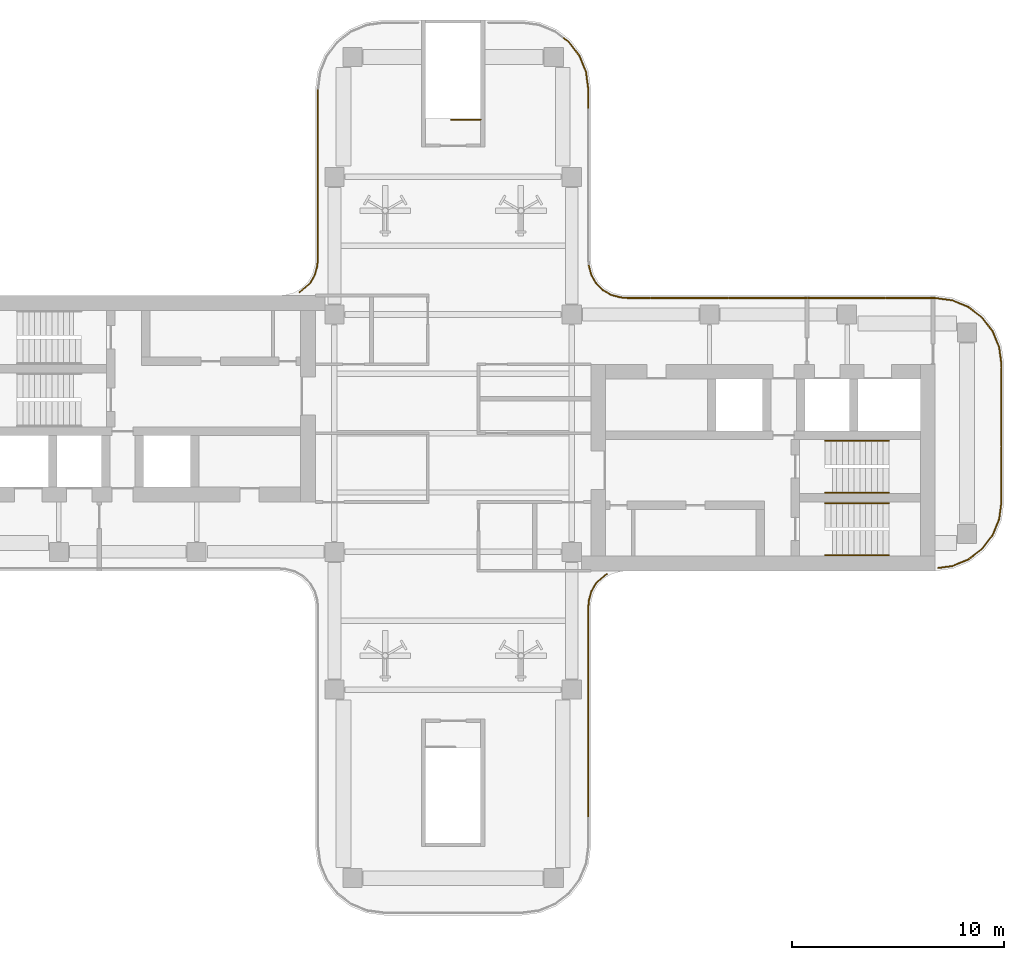
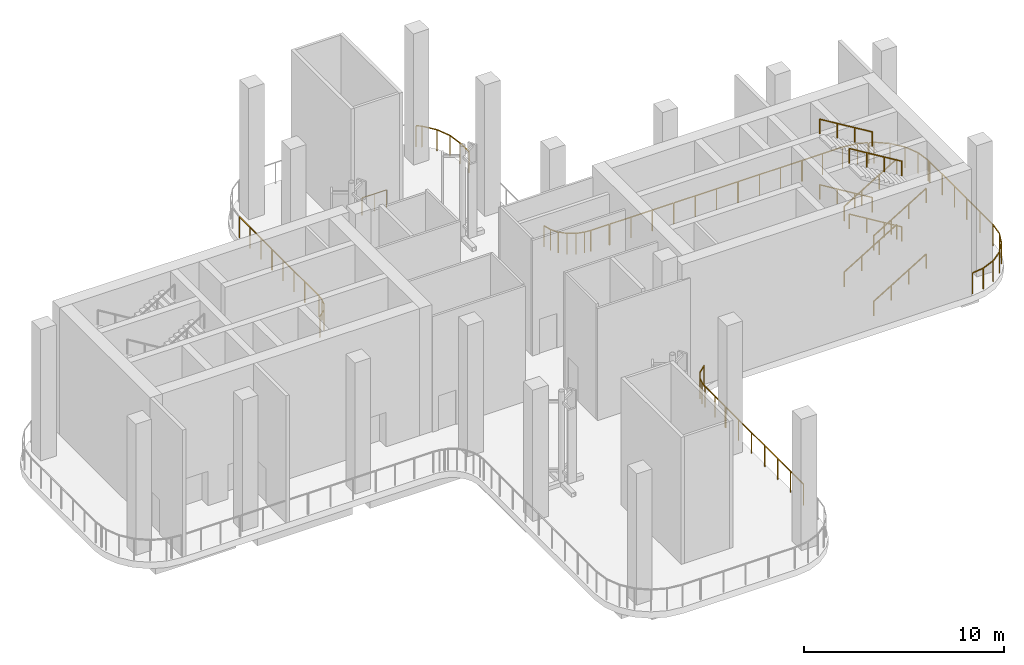
# One storey, part 6 of 8: 25 railings.
"""IFC4 building model written with IfcOpenShell, lengths in metres."""

from ifc_helpers import new_model, si_unit, direction, frame, origin, origin_2d, place, context, subcontext, project, spatial, rectangle, circle, extrude, source, transform, mapped, material, type_object, element, save


model = new_model("IFC4")

# Units and contexts
model_context = context("Model", 3, precision=1e-05, world=origin(), true_north=direction((0.0, 1.0)))
body_context = subcontext(model_context, "Body", "Model", "MODEL_VIEW")
ifc_project = project(units=[si_unit("LENGTHUNIT", "METRE"), si_unit("AREAUNIT", "SQUARE_METRE"), si_unit("VOLUMEUNIT", "CUBIC_METRE"), si_unit("PLANEANGLEUNIT", "RADIAN"), si_unit("MASSUNIT", "GRAM", prefix="KILO")], contexts=[model_context])

# Site, building, storey
site_placement = place(None, origin())
site = spatial("IfcSite", under=ifc_project, at=site_placement, CompositionType="ELEMENT")
building_placement = place(site_placement, origin())
building = spatial("IfcBuilding", under=site, at=building_placement, Name="Trellis Farm Tower", CompositionType="ELEMENT")
storey_placement = place(building_placement, frame((0.0, 0.0, 330.10009765625)))
storey = spatial("IfcBuildingStorey", under=building, at=storey_placement, Name="L75", CompositionType="ELEMENT", Elevation=330.10009765625)

# Railings
ifc_material_1 = material(Name="Stainless steel 316", Category="steel")
railing_type_1 = type_object("IfcRailingType", Name="BALUSTRADE GUARD 1300", PredefinedType="GUARDRAIL", material=ifc_material_1)
railing_1_placement = place(storey_placement, frame((-7.245361328125, 6.64990234375, 0.0)))
element("IfcRailing", 1, at=railing_1_placement, inside=storey, type_object=railing_type_1, Name="GD3 EDGE-1", PredefinedType="GUARDRAIL", context=body_context, shape_type="SweptSolid", body=[
    extrude(rectangle(XDim=0.050048828125, YDim=0.050048828125, at=origin_2d()), frame((0.0, 0.0, 1.27490234375), z_axis=(0.761614428035, 0.648030449138, 0.0), x_axis=(-0.648030449138, 0.761614428035, 0.0)), (0.0, 0.0, 1.0), 0.649169921875),
    extrude(rectangle(XDim=0.050048828125, YDim=0.050048828125, at=origin_2d()), frame((0.494384765625, 0.420654296875, 1.27490234375), z_axis=(0.499971721724, 0.866041729639, 0.0), x_axis=(-0.866041729639, 0.499971721724, 0.0)), (0.0, 0.0, 1.0), 0.4521484375),
    extrude(rectangle(XDim=0.050048828125, YDim=0.050048828125, at=origin_2d()), frame((0.720458984375, 0.812255859375, 1.27490234375), z_axis=(0.258891443638, 0.965906424252, 0.0), x_axis=(-0.965906424252, 0.258891443638, 0.0)), (0.0, 0.0, 1.0), 0.445068359375),
    extrude(rectangle(XDim=0.050048828125, YDim=0.050048828125, at=origin_2d()), frame((0.835693359375, 1.2421875, 1.27490234375), z_axis=(0.088443887633, 0.99608116072, 0.0), x_axis=(-0.99608116072, 0.088443887633, 0.0)), (0.0, 0.0, 1.0), 0.336669921875),
    extrude(rectangle(XDim=0.050048828125, YDim=0.050048828125, at=origin_2d()), frame((0.865478515625, 1.57763671875, 1.27490234375), z_axis=(0.0, 1.0, 0.0), x_axis=(-1.0, 0.0, 0.0)), (0.0, 0.0, 1.0), 1.398193359375),
    extrude(rectangle(XDim=0.0400390625, YDim=0.0400390625, at=origin_2d()), origin(), (0.0, 0.0, 1.0), 1.25),
    extrude(rectangle(XDim=0.0400390625, YDim=0.0400390625, at=origin_2d()), frame((0.494384765625, 0.420654296875, 0.0)), (0.0, 0.0, 1.0), 1.25),
    extrude(rectangle(XDim=0.0400390625, YDim=0.0400390625, at=origin_2d()), frame((0.720458984375, 0.812255859375, 0.0)), (0.0, 0.0, 1.0), 1.25),
    extrude(rectangle(XDim=0.0400390625, YDim=0.0400390625, at=origin_2d()), frame((0.835693359375, 1.2421875, 0.0)), (0.0, 0.0, 1.0), 1.25),
    extrude(rectangle(XDim=0.0400390625, YDim=0.0400390625, at=origin_2d()), frame((0.865478515625, 1.57763671875, 0.0)), (0.0, 0.0, 1.0), 1.25),
    extrude(rectangle(XDim=0.0400390625, YDim=0.0400390625, at=origin_2d()), frame((0.865478515625, 2.975830078125, 0.0)), (0.0, 0.0, 1.0), 1.25),
])
railing_2_placement = place(storey_placement, frame((-6.3798828125, 9.670654296875, 0.0)))
element("IfcRailing", 2, at=railing_2_placement, inside=storey, type_object=railing_type_1, Name="GD3 EDGE-2", PredefinedType="GUARDRAIL", context=body_context, shape_type="SweptSolid", body=[
    extrude(rectangle(XDim=0.050048828125, YDim=0.050048828125, at=origin_2d()), frame((0.0, 0.0, 1.27490234375), z_axis=(0.0, 1.0, 0.0), x_axis=(-1.0, 0.0, 0.0)), (0.0, 0.0, 1.0), 3.236328125),
    extrude(rectangle(XDim=0.0400390625, YDim=0.0400390625, at=origin_2d()), origin(), (0.0, 0.0, 1.0), 1.25),
    extrude(rectangle(XDim=0.0400390625, YDim=0.0400390625, at=origin_2d()), frame((0.0, 1.078857421875, 0.0)), (0.0, 0.0, 1.0), 1.25),
    extrude(rectangle(XDim=0.0400390625, YDim=0.0400390625, at=origin_2d()), frame((0.0, 2.157470703125, 0.0)), (0.0, 0.0, 1.0), 1.25),
    extrude(rectangle(XDim=0.0400390625, YDim=0.0400390625, at=origin_2d()), frame((0.0, 3.236328125, 0.0)), (0.0, 0.0, 1.0), 1.25),
])
railing_3_placement = place(storey_placement, frame((-6.3798828125, 12.951904296875, 0.0)))
element("IfcRailing", 3, at=railing_3_placement, inside=storey, type_object=railing_type_1, Name="GD3 EDGE-3", PredefinedType="GUARDRAIL", context=body_context, shape_type="SweptSolid", body=[
    extrude(rectangle(XDim=0.050048828125, YDim=0.050048828125, at=origin_2d()), frame((0.0, 0.0, 1.27490234375), z_axis=(0.0, 1.0, 0.0), x_axis=(-1.0, 0.0, 0.0)), (0.0, 0.0, 1.0), 3.236572265625),
    extrude(rectangle(XDim=0.0400390625, YDim=0.0400390625, at=origin_2d()), origin(), (0.0, 0.0, 1.0), 1.25),
    extrude(rectangle(XDim=0.0400390625, YDim=0.0400390625, at=origin_2d()), frame((0.0, 1.078857421875, 0.0)), (0.0, 0.0, 1.0), 1.25),
    extrude(rectangle(XDim=0.0400390625, YDim=0.0400390625, at=origin_2d()), frame((0.0, 2.15771484375, 0.0)), (0.0, 0.0, 1.0), 1.25),
    extrude(rectangle(XDim=0.0400390625, YDim=0.0400390625, at=origin_2d()), frame((0.0, 3.236572265625, 0.0)), (0.0, 0.0, 1.0), 1.25),
])
railing_4_placement = place(storey_placement, frame((5.22119140625, 18.647705078125, 0.0)))
element("IfcRailing", 4, at=railing_4_placement, inside=storey, type_object=railing_type_1, Name="GD3 EDGE-7", PredefinedType="GUARDRAIL", context=body_context, shape_type="SweptSolid", body=[
    extrude(rectangle(XDim=0.050048828125, YDim=0.050048828125, at=origin_2d()), frame((0.0, 0.0, 1.27490234375), z_axis=(0.793011723301, -0.60920637448, 0.0), x_axis=(0.60920637448, 0.793011723301, 0.0)), (0.0, 0.0, 1.0), 0.30419921875),
    extrude(rectangle(XDim=0.050048828125, YDim=0.050048828125, at=origin_2d()), frame((0.2412109375, -0.185302734375, 1.27490234375), z_axis=(0.608858156099, -0.793279109615, 0.0), x_axis=(0.793279109615, 0.608858156099, 0.0)), (0.0, 0.0, 1.0), 0.81689453125),
    extrude(rectangle(XDim=0.050048828125, YDim=0.050048828125, at=origin_2d()), frame((0.738525390625, -0.833251953125, 1.27490234375), z_axis=(0.382598185958, -0.923914838122, 0.0), x_axis=(0.923914838122, 0.382598185958, 0.0)), (0.0, 0.0, 1.0), 0.81689453125),
    extrude(rectangle(XDim=0.050048828125, YDim=0.050048828125, at=origin_2d()), frame((1.051025390625, -1.587890625, 1.27490234375), z_axis=(0.130554065513, -0.991441191387, 0.0), x_axis=(0.991441191387, 0.130554065513, 0.0)), (0.0, 0.0, 1.0), 0.82470703125),
    extrude(rectangle(XDim=0.050048828125, YDim=0.050048828125, at=origin_2d()), frame((1.15869140625, -2.405517578125, 1.27490234375), z_axis=(0.0, -1.0, 0.0), x_axis=(1.0, 0.0, 0.0)), (0.0, 0.0, 1.0), 0.893798828125),
    extrude(rectangle(XDim=0.0400390625, YDim=0.0400390625, at=origin_2d()), origin(), (0.0, 0.0, 1.0), 1.25),
    extrude(rectangle(XDim=0.0400390625, YDim=0.0400390625, at=origin_2d()), frame((0.2412109375, -0.185302734375, 0.0)), (0.0, 0.0, 1.0), 1.25),
    extrude(rectangle(XDim=0.0400390625, YDim=0.0400390625, at=origin_2d()), frame((0.738525390625, -0.833251953125, 0.0)), (0.0, 0.0, 1.0), 1.25),
    extrude(rectangle(XDim=0.0400390625, YDim=0.0400390625, at=origin_2d()), frame((1.051025390625, -1.587890625, 0.0)), (0.0, 0.0, 1.0), 1.25),
    extrude(rectangle(XDim=0.0400390625, YDim=0.0400390625, at=origin_2d()), frame((1.15869140625, -2.405517578125, 0.0)), (0.0, 0.0, 1.0), 1.25),
    extrude(rectangle(XDim=0.0400390625, YDim=0.0400390625, at=origin_2d()), frame((1.15869140625, -3.29931640625, 0.0)), (0.0, 0.0, 1.0), 1.25),
])
railing_5_placement = place(storey_placement, frame((6.40869140625, 7.902099609375, 0.0)))
element("IfcRailing", 5, at=railing_5_placement, inside=storey, type_object=railing_type_1, Name="GD3 EDGE-10", PredefinedType="GUARDRAIL", context=body_context, shape_type="SweptSolid", body=[
    extrude(rectangle(XDim=0.050048828125, YDim=0.050048828125, at=origin_2d()), frame((0.0, 0.0, 1.27490234375), z_axis=(0.097099964285, -0.995274633926, 0.0), x_axis=(0.995274633926, 0.097099964285, 0.0)), (0.0, 0.0, 1.0), 0.010009765625),
    extrude(rectangle(XDim=0.050048828125, YDim=0.050048828125, at=origin_2d()), frame((0.0009765625, -0.010009765625, 1.27490234375), z_axis=(0.258891443638, -0.965906424252, 0.0), x_axis=(0.965906424252, 0.258891443638, 0.0)), (0.0, 0.0, 1.0), 0.445068359375),
    extrude(rectangle(XDim=0.050048828125, YDim=0.050048828125, at=origin_2d()), frame((0.1162109375, -0.43994140625, 1.27490234375), z_axis=(0.499971721724, -0.866041729639, 0.0), x_axis=(0.866041729639, 0.499971721724, 0.0)), (0.0, 0.0, 1.0), 0.4521484375),
    extrude(rectangle(XDim=0.050048828125, YDim=0.050048828125, at=origin_2d()), frame((0.34228515625, -0.83154296875, 1.27490234375), z_axis=(0.707106781187, -0.707106781187, 0.0), x_axis=(0.707106781187, 0.707106781187, 0.0)), (0.0, 0.0, 1.0), 0.451904296875),
    extrude(rectangle(XDim=0.050048828125, YDim=0.050048828125, at=origin_2d()), frame((0.661865234375, -1.151123046875, 1.27490234375), z_axis=(0.866041729639, -0.499971721724, 0.0), x_axis=(0.499971721724, 0.866041729639, 0.0)), (0.0, 0.0, 1.0), 0.4521484375),
    extrude(rectangle(XDim=0.050048828125, YDim=0.050048828125, at=origin_2d()), frame((1.053466796875, -1.377197265625, 1.27490234375), z_axis=(0.965906424252, -0.258891443638, 0.0), x_axis=(0.258891443638, 0.965906424252, 0.0)), (0.0, 0.0, 1.0), 0.445068359375),
    extrude(rectangle(XDim=0.050048828125, YDim=0.050048828125, at=origin_2d()), frame((1.4833984375, -1.492431640625, 1.27490234375), z_axis=(0.99608116072, -0.088443887633, 0.0), x_axis=(0.088443887633, 0.99608116072, 0.0)), (0.0, 0.0, 1.0), 0.336669921875),
    extrude(rectangle(XDim=0.050048828125, YDim=0.050048828125, at=origin_2d()), frame((1.81884765625, -1.522216796875, 1.27490234375), z_axis=(1.0, 0.0, 0.0), x_axis=(0.0, 1.0, 0.0)), (0.0, 0.0, 1.0), 1.062744140625),
    extrude(rectangle(XDim=0.0400390625, YDim=0.0400390625, at=origin_2d()), origin(), (0.0, 0.0, 1.0), 1.25),
    extrude(rectangle(XDim=0.0400390625, YDim=0.0400390625, at=origin_2d()), frame((0.0009765625, -0.010009765625, 0.0)), (0.0, 0.0, 1.0), 1.25),
    extrude(rectangle(XDim=0.0400390625, YDim=0.0400390625, at=origin_2d()), frame((0.1162109375, -0.43994140625, 0.0)), (0.0, 0.0, 1.0), 1.25),
    extrude(rectangle(XDim=0.0400390625, YDim=0.0400390625, at=origin_2d()), frame((0.34228515625, -0.83154296875, 0.0)), (0.0, 0.0, 1.0), 1.25),
    extrude(rectangle(XDim=0.0400390625, YDim=0.0400390625, at=origin_2d()), frame((0.661865234375, -1.151123046875, 0.0)), (0.0, 0.0, 1.0), 1.25),
    extrude(rectangle(XDim=0.0400390625, YDim=0.0400390625, at=origin_2d()), frame((1.053466796875, -1.377197265625, 0.0)), (0.0, 0.0, 1.0), 1.25),
    extrude(rectangle(XDim=0.0400390625, YDim=0.0400390625, at=origin_2d()), frame((1.4833984375, -1.492431640625, 0.0)), (0.0, 0.0, 1.0), 1.25),
    extrude(rectangle(XDim=0.0400390625, YDim=0.0400390625, at=origin_2d()), frame((1.81884765625, -1.522216796875, 0.0)), (0.0, 0.0, 1.0), 1.25),
    extrude(rectangle(XDim=0.0400390625, YDim=0.0400390625, at=origin_2d()), frame((2.881591796875, -1.522216796875, 0.0)), (0.0, 0.0, 1.0), 1.25),
])
railing_6_placement = place(storey_placement, frame((13.03662109375, 6.3798828125, 0.0)))
element("IfcRailing", 6, at=railing_6_placement, inside=storey, type_object=railing_type_1, Name="GD3 EDGE-12", PredefinedType="GUARDRAIL", context=body_context, shape_type="SweptSolid", body=[
    extrude(rectangle(XDim=0.050048828125, YDim=0.050048828125, at=origin_2d()), frame((0.0, 0.0, 1.27490234375), z_axis=(1.0, 0.0, 0.0), x_axis=(0.0, 1.0, 0.0)), (0.0, 0.0, 1.0), 3.656494140625),
    extrude(rectangle(XDim=0.0400390625, YDim=0.0400390625, at=origin_2d()), origin(), (0.0, 0.0, 1.0), 1.25),
    extrude(rectangle(XDim=0.0400390625, YDim=0.0400390625, at=origin_2d()), frame((1.21875, 0.0, 0.0)), (0.0, 0.0, 1.0), 1.25),
    extrude(rectangle(XDim=0.0400390625, YDim=0.0400390625, at=origin_2d()), frame((2.437744140625, 0.0, 0.0)), (0.0, 0.0, 1.0), 1.25),
    extrude(rectangle(XDim=0.0400390625, YDim=0.0400390625, at=origin_2d()), frame((3.656494140625, 0.0, 0.0)), (0.0, 0.0, 1.0), 1.25),
])
railing_7_placement = place(storey_placement, frame((20.439208984375, 6.3798828125, 0.0)))
element("IfcRailing", 7, at=railing_7_placement, inside=storey, type_object=railing_type_1, Name="GD3 EDGE-14", PredefinedType="GUARDRAIL", context=body_context, shape_type="SweptSolid", body=[
    extrude(rectangle(XDim=0.050048828125, YDim=0.050048828125, at=origin_2d()), frame((0.0, 0.0, 1.27490234375), z_axis=(1.0, 0.0, 0.0), x_axis=(0.0, 1.0, 0.0)), (0.0, 0.0, 1.0), 2.302978515625),
    extrude(rectangle(XDim=0.050048828125, YDim=0.050048828125, at=origin_2d()), frame((2.302978515625, 0.0, 1.27490234375), z_axis=(0.991441191387, -0.130554065513, 0.0), x_axis=(0.130554065513, 0.991441191387, 0.0)), (0.0, 0.0, 1.0), 0.82470703125),
    extrude(rectangle(XDim=0.050048828125, YDim=0.050048828125, at=origin_2d()), frame((3.12060546875, -0.107666015625, 1.27490234375), z_axis=(0.924016832422, -0.382351792726, 0.0), x_axis=(0.382351792726, 0.924016832422, 0.0)), (0.0, 0.0, 1.0), 0.52880859375),
    extrude(rectangle(XDim=0.0400390625, YDim=0.0400390625, at=origin_2d()), origin(), (0.0, 0.0, 1.0), 1.25),
    extrude(rectangle(XDim=0.0400390625, YDim=0.0400390625, at=origin_2d()), frame((1.1513671875, 0.0, 0.0)), (0.0, 0.0, 1.0), 1.25),
    extrude(rectangle(XDim=0.0400390625, YDim=0.0400390625, at=origin_2d()), frame((2.302978515625, 0.0, 0.0)), (0.0, 0.0, 1.0), 1.25),
    extrude(rectangle(XDim=0.0400390625, YDim=0.0400390625, at=origin_2d()), frame((3.12060546875, -0.107666015625, 0.0)), (0.0, 0.0, 1.0), 1.25),
    extrude(rectangle(XDim=0.0400390625, YDim=0.0400390625, at=origin_2d()), frame((3.609130859375, -0.309814453125, 0.0)), (0.0, 0.0, 1.0), 1.25),
])
railing_8_placement = place(storey_placement, frame((24.08984375, 6.052734375, 0.0)))
element("IfcRailing", 8, at=railing_8_placement, inside=storey, type_object=railing_type_1, Name="GD3 EDGE-15", PredefinedType="GUARDRAIL", context=body_context, shape_type="SweptSolid", body=[
    extrude(rectangle(XDim=0.050048828125, YDim=0.050048828125, at=origin_2d()), frame((0.0, 0.0, 1.27490234375), z_axis=(0.923906683841, -0.382617876678, 0.0), x_axis=(0.382617876678, 0.923906683841, 0.0)), (0.0, 0.0, 1.0), 0.2431640625),
    extrude(rectangle(XDim=0.050048828125, YDim=0.050048828125, at=origin_2d()), frame((0.224609375, -0.093017578125, 1.27490234375), z_axis=(0.793279109615, -0.608858156099, 0.0), x_axis=(0.608858156099, 0.793279109615, 0.0)), (0.0, 0.0, 1.0), 0.81689453125),
    extrude(rectangle(XDim=0.050048828125, YDim=0.050048828125, at=origin_2d()), frame((0.87255859375, -0.59033203125, 1.27490234375), z_axis=(0.608858156099, -0.793279109615, 0.0), x_axis=(0.793279109615, 0.608858156099, 0.0)), (0.0, 0.0, 1.0), 0.81689453125),
    extrude(rectangle(XDim=0.050048828125, YDim=0.050048828125, at=origin_2d()), frame((1.369873046875, -1.23828125, 1.27490234375), z_axis=(0.382598185958, -0.923914838122, 0.0), x_axis=(0.923914838122, 0.382598185958, 0.0)), (0.0, 0.0, 1.0), 0.81689453125),
    extrude(rectangle(XDim=0.050048828125, YDim=0.050048828125, at=origin_2d()), frame((1.682373046875, -1.992919921875, 1.27490234375), z_axis=(0.130554065513, -0.991441191387, 0.0), x_axis=(0.991441191387, 0.130554065513, 0.0)), (0.0, 0.0, 1.0), 0.82470703125),
    extrude(rectangle(XDim=0.050048828125, YDim=0.050048828125, at=origin_2d()), frame((1.7900390625, -2.810546875, 1.27490234375), z_axis=(0.0, -1.0, 0.0), x_axis=(1.0, 0.0, 0.0)), (0.0, 0.0, 1.0), 0.137939453125),
    extrude(rectangle(XDim=0.0400390625, YDim=0.0400390625, at=origin_2d()), origin(), (0.0, 0.0, 1.0), 1.25),
    extrude(rectangle(XDim=0.0400390625, YDim=0.0400390625, at=origin_2d()), frame((0.224609375, -0.093017578125, 0.0)), (0.0, 0.0, 1.0), 1.25),
    extrude(rectangle(XDim=0.0400390625, YDim=0.0400390625, at=origin_2d()), frame((0.87255859375, -0.59033203125, 0.0)), (0.0, 0.0, 1.0), 1.25),
    extrude(rectangle(XDim=0.0400390625, YDim=0.0400390625, at=origin_2d()), frame((1.369873046875, -1.23828125, 0.0)), (0.0, 0.0, 1.0), 1.25),
    extrude(rectangle(XDim=0.0400390625, YDim=0.0400390625, at=origin_2d()), frame((1.682373046875, -1.992919921875, 0.0)), (0.0, 0.0, 1.0), 1.25),
    extrude(rectangle(XDim=0.0400390625, YDim=0.0400390625, at=origin_2d()), frame((1.7900390625, -2.810546875, 0.0)), (0.0, 0.0, 1.0), 1.25),
    extrude(rectangle(XDim=0.0400390625, YDim=0.0400390625, at=origin_2d()), frame((1.7900390625, -2.948486328125, 0.0)), (0.0, 0.0, 1.0), 1.25),
])
railing_9_placement = place(storey_placement, frame((25.8798828125, -0.64208984375, 0.0)))
element("IfcRailing", 9, at=railing_9_placement, inside=storey, type_object=railing_type_1, Name="GD3 EDGE-17", PredefinedType="GUARDRAIL", context=body_context, shape_type="SweptSolid", body=[
    extrude(rectangle(XDim=0.050048828125, YDim=0.050048828125, at=origin_2d()), frame((0.0, 0.0, 1.27490234375), z_axis=(0.0, -1.0, 0.0), x_axis=(1.0, 0.0, 0.0)), (0.0, 0.0, 1.0), 2.60009765625),
    extrude(rectangle(XDim=0.050048828125, YDim=0.050048828125, at=origin_2d()), frame((0.0, -2.60009765625, 1.27490234375), z_axis=(-0.130554065513, -0.991441191387, 0.0), x_axis=(0.991441191387, -0.130554065513, 0.0)), (0.0, 0.0, 1.0), 0.82470703125),
    extrude(rectangle(XDim=0.050048828125, YDim=0.050048828125, at=origin_2d()), frame((-0.107666015625, -3.417724609375, 1.27490234375), z_axis=(-0.38281747839, -0.923823997436, 0.0), x_axis=(0.923823997436, -0.38281747839, 0.0)), (0.0, 0.0, 1.0), 0.2314453125),
    extrude(rectangle(XDim=0.0400390625, YDim=0.0400390625, at=origin_2d()), origin(), (0.0, 0.0, 1.0), 1.25),
    extrude(rectangle(XDim=0.0400390625, YDim=0.0400390625, at=origin_2d()), frame((0.0, -1.300048828125, 0.0)), (0.0, 0.0, 1.0), 1.25),
    extrude(rectangle(XDim=0.0400390625, YDim=0.0400390625, at=origin_2d()), frame((0.0, -2.60009765625, 0.0)), (0.0, 0.0, 1.0), 1.25),
    extrude(rectangle(XDim=0.0400390625, YDim=0.0400390625, at=origin_2d()), frame((-0.107666015625, -3.417724609375, 0.0)), (0.0, 0.0, 1.0), 1.25),
    extrude(rectangle(XDim=0.0400390625, YDim=0.0400390625, at=origin_2d()), frame((-0.1962890625, -3.631591796875, 0.0)), (0.0, 0.0, 1.0), 1.25),
])
railing_10_placement = place(storey_placement, frame((25.66650390625, -4.315185546875, 0.0)))
element("IfcRailing", 10, at=railing_10_placement, inside=storey, type_object=railing_type_1, Name="GD3 EDGE-18", PredefinedType="GUARDRAIL", context=body_context, shape_type="SweptSolid", body=[
    extrude(rectangle(XDim=0.050048828125, YDim=0.050048828125, at=origin_2d()), frame((0.0, 0.0, 1.27490234375), z_axis=(-0.382657697953, -0.923890191634, 0.0), x_axis=(0.923890191634, -0.382657697953, 0.0)), (0.0, 0.0, 1.0), 0.540283203125),
    extrude(rectangle(XDim=0.050048828125, YDim=0.050048828125, at=origin_2d()), frame((-0.206787109375, -0.499267578125, 1.27490234375), z_axis=(-0.608858156099, -0.793279109615, 0.0), x_axis=(0.793279109615, -0.608858156099, 0.0)), (0.0, 0.0, 1.0), 0.81689453125),
    extrude(rectangle(XDim=0.050048828125, YDim=0.050048828125, at=origin_2d()), frame((-0.7041015625, -1.147216796875, 1.27490234375), z_axis=(-0.793279109615, -0.608858156099, 0.0), x_axis=(0.608858156099, -0.793279109615, 0.0)), (0.0, 0.0, 1.0), 0.81689453125),
    extrude(rectangle(XDim=0.050048828125, YDim=0.050048828125, at=origin_2d()), frame((-1.35205078125, -1.64453125, 1.27490234375), z_axis=(-0.923914838122, -0.382598185958, 0.0), x_axis=(0.382598185958, -0.923914838122, 0.0)), (0.0, 0.0, 1.0), 0.81689453125),
    extrude(rectangle(XDim=0.050048828125, YDim=0.050048828125, at=origin_2d()), frame((-2.106689453125, -1.95703125, 1.27490234375), z_axis=(-0.991438058147, -0.130577857455, 0.0), x_axis=(0.130577857455, -0.991438058147, 0.0)), (0.0, 0.0, 1.0), 0.66552734375),
    extrude(rectangle(XDim=0.0400390625, YDim=0.0400390625, at=origin_2d()), origin(), (0.0, 0.0, 1.0), 1.25),
    extrude(rectangle(XDim=0.0400390625, YDim=0.0400390625, at=origin_2d()), frame((-0.206787109375, -0.499267578125, 0.0)), (0.0, 0.0, 1.0), 1.25),
    extrude(rectangle(XDim=0.0400390625, YDim=0.0400390625, at=origin_2d()), frame((-0.7041015625, -1.147216796875, 0.0)), (0.0, 0.0, 1.0), 1.25),
    extrude(rectangle(XDim=0.0400390625, YDim=0.0400390625, at=origin_2d()), frame((-1.35205078125, -1.64453125, 0.0)), (0.0, 0.0, 1.0), 1.25),
    extrude(rectangle(XDim=0.0400390625, YDim=0.0400390625, at=origin_2d()), frame((-2.106689453125, -1.95703125, 0.0)), (0.0, 0.0, 1.0), 1.25),
    extrude(rectangle(XDim=0.0400390625, YDim=0.0400390625, at=origin_2d()), frame((-2.7666015625, -2.0439453125, 0.0)), (0.0, 0.0, 1.0), 1.25),
])
railing_11_placement = place(storey_placement, frame((7.245361328125, -6.64990234375, 0.0)))
element("IfcRailing", 11, at=railing_11_placement, inside=storey, type_object=railing_type_1, Name="GD3 EDGE-19", PredefinedType="GUARDRAIL", context=body_context, shape_type="SweptSolid", body=[
    extrude(rectangle(XDim=0.050048828125, YDim=0.050048828125, at=origin_2d()), frame((0.0, 0.0, 1.27490234375), z_axis=(-0.761614428035, -0.648030449138, 0.0), x_axis=(0.648030449138, -0.761614428035, 0.0)), (0.0, 0.0, 1.0), 0.649169921875),
    extrude(rectangle(XDim=0.050048828125, YDim=0.050048828125, at=origin_2d()), frame((-0.494384765625, -0.420654296875, 1.27490234375), z_axis=(-0.499971721724, -0.866041729639, 0.0), x_axis=(0.866041729639, -0.499971721724, 0.0)), (0.0, 0.0, 1.0), 0.4521484375),
    extrude(rectangle(XDim=0.050048828125, YDim=0.050048828125, at=origin_2d()), frame((-0.720458984375, -0.812255859375, 1.27490234375), z_axis=(-0.258891443638, -0.965906424252, 0.0), x_axis=(0.965906424252, -0.258891443638, 0.0)), (0.0, 0.0, 1.0), 0.445068359375),
    extrude(rectangle(XDim=0.050048828125, YDim=0.050048828125, at=origin_2d()), frame((-0.835693359375, -1.2421875, 1.27490234375), z_axis=(-0.088443887633, -0.99608116072, 0.0), x_axis=(0.99608116072, -0.088443887633, 0.0)), (0.0, 0.0, 1.0), 0.336669921875),
    extrude(rectangle(XDim=0.050048828125, YDim=0.050048828125, at=origin_2d()), frame((-0.865478515625, -1.57763671875, 1.27490234375), z_axis=(0.0, -1.0, 0.0), x_axis=(1.0, 0.0, 0.0)), (0.0, 0.0, 1.0), 2.028564453125),
    extrude(rectangle(XDim=0.0400390625, YDim=0.0400390625, at=origin_2d()), origin(), (0.0, 0.0, 1.0), 1.25),
    extrude(rectangle(XDim=0.0400390625, YDim=0.0400390625, at=origin_2d()), frame((-0.494384765625, -0.420654296875, 0.0)), (0.0, 0.0, 1.0), 1.25),
    extrude(rectangle(XDim=0.0400390625, YDim=0.0400390625, at=origin_2d()), frame((-0.720458984375, -0.812255859375, 0.0)), (0.0, 0.0, 1.0), 1.25),
    extrude(rectangle(XDim=0.0400390625, YDim=0.0400390625, at=origin_2d()), frame((-0.835693359375, -1.2421875, 0.0)), (0.0, 0.0, 1.0), 1.25),
    extrude(rectangle(XDim=0.0400390625, YDim=0.0400390625, at=origin_2d()), frame((-0.865478515625, -1.57763671875, 0.0)), (0.0, 0.0, 1.0), 1.25),
    extrude(rectangle(XDim=0.0400390625, YDim=0.0400390625, at=origin_2d()), frame((-0.865478515625, -2.591796875, 0.0)), (0.0, 0.0, 1.0), 1.25),
    extrude(rectangle(XDim=0.0400390625, YDim=0.0400390625, at=origin_2d()), frame((-0.865478515625, -3.606201171875, 0.0)), (0.0, 0.0, 1.0), 1.25),
])
railing_12_placement = place(storey_placement, frame((6.3798828125, -10.301025390625, 0.0)))
element("IfcRailing", 12, at=railing_12_placement, inside=storey, type_object=railing_type_1, Name="GD3 EDGE-20", PredefinedType="GUARDRAIL", context=body_context, shape_type="SweptSolid", body=[
    extrude(rectangle(XDim=0.050048828125, YDim=0.050048828125, at=origin_2d()), frame((0.0, 0.0, 1.27490234375), z_axis=(0.0, -1.0, 0.0), x_axis=(1.0, 0.0, 0.0)), (0.0, 0.0, 1.0), 3.866943359375),
    extrude(rectangle(XDim=0.0400390625, YDim=0.0400390625, at=origin_2d()), origin(), (0.0, 0.0, 1.0), 1.25),
    extrude(rectangle(XDim=0.0400390625, YDim=0.0400390625, at=origin_2d()), frame((0.0, -1.2890625, 0.0)), (0.0, 0.0, 1.0), 1.25),
    extrude(rectangle(XDim=0.0400390625, YDim=0.0400390625, at=origin_2d()), frame((0.0, -2.577880859375, 0.0)), (0.0, 0.0, 1.0), 1.25),
    extrude(rectangle(XDim=0.0400390625, YDim=0.0400390625, at=origin_2d()), frame((0.0, -3.866943359375, 0.0)), (0.0, 0.0, 1.0), 1.25),
])
ifc_material_2 = material(Name="Stainless steel", Category="steel")
railing_type_2 = type_object("IfcRailingType", Name="STAIR GUARD 1100", PredefinedType="GUARDRAIL", material=ifc_material_2)
railing_13_placement = place(storey_placement, frame((1.300048828125, 14.800048828125, 0.0)))
element("IfcRailing", 13, at=railing_13_placement, inside=storey, type_object=railing_type_2, Name="Stair guard", PredefinedType="GUARDRAIL", context=body_context, shape_type="SweptSolid", body=[
    extrude(circle(Radius=0.02392578125, at=origin_2d()), frame((0.0, 0.0, 1.076171875), z_axis=(-1.0, 0.0, 0.0), x_axis=(0.0, -1.0, 0.0)), (0.0, 0.0, 1.0), 1.400146484375),
    extrude(circle(Radius=0.02099609375, at=origin_2d()), origin(), (0.0, 0.0, 1.0), 1.052001953125),
    extrude(circle(Radius=0.02099609375, at=origin_2d()), frame((-0.7001953125, 0.0, 0.0)), (0.0, 0.0, 1.0), 1.052001953125),
    extrude(circle(Radius=0.02099609375, at=origin_2d()), frame((-1.400146484375, 0.0, 0.0)), (0.0, 0.0, 1.0), 1.052001953125),
])
railing_type_3 = type_object("IfcRailingType", Name="STAIR HANDRAIL 900", PredefinedType="HANDRAIL", material=ifc_material_2)
shared_shape_1 = source(origin(), body_context, "Body", "SweptSolid", [
    extrude(circle(Radius=0.02392578125, at=origin_2d()), frame((0.0, 0.0, 0.8759765625), z_axis=(0.855170017971, 0.0, 0.518347605727), x_axis=(0.0, 1.0, 0.0)), (0.0, 0.0, 1.0), 3.537109375),
    extrude(circle(Radius=0.02099609375, at=origin_2d()), origin(), (0.0, 0.0, 1.0), 0.851806640625),
    extrude(circle(Radius=0.02099609375, at=origin_2d()), frame((1.00830078125, 0.0, 0.611083984375)), (0.0, 0.0, 1.0), 0.851806640625),
    extrude(circle(Radius=0.02099609375, at=origin_2d()), frame((2.0166015625, 0.0, 1.222412109375)), (0.0, 0.0, 1.0), 0.851806640625),
    extrude(circle(Radius=0.02099609375, at=origin_2d()), frame((3.02490234375, 0.0, 1.83349609375)), (0.0, 0.0, 1.0), 0.851806640625),
])
for number, where, name in (
    (14, (17.550048828125, -5.75, 0.16650390625), "Stair handrail"),
    (15, (17.550048828125, -5.75, 4.16650390625), "Stair handrail"),
    (16, (17.550048828125, -2.800048828125, 0.16650390625), "Stair handrail"),
    (17, (17.550048828125, -2.800048828125, 4.16650390625), "Stair handrail"),
):
    element("IfcRailing", number, at=place(storey_placement, frame(where)), inside=storey, type_object=railing_type_3, Name=name, PredefinedType="HANDRAIL", context=body_context, shape_type="MappedRepresentation", body=[
        mapped(shared_shape_1, transform((0.0, 0.0, 0.0))),
    ])
shared_shape_2 = source(origin(), body_context, "Body", "SweptSolid", [
    extrude(circle(Radius=0.02392578125, at=origin_2d()), frame((0.0, 0.0, 0.8759765625), z_axis=(-0.855170017971, 0.0, 0.518347605727), x_axis=(0.0, -1.0, 0.0)), (0.0, 0.0, 1.0), 3.537109375),
    extrude(circle(Radius=0.02099609375, at=origin_2d()), origin(), (0.0, 0.0, 1.0), 0.851806640625),
    extrude(circle(Radius=0.02099609375, at=origin_2d()), frame((-1.00830078125, 0.0, 0.611083984375)), (0.0, 0.0, 1.0), 0.851806640625),
    extrude(circle(Radius=0.02099609375, at=origin_2d()), frame((-2.0166015625, 0.0, 1.222412109375)), (0.0, 0.0, 1.0), 0.851806640625),
    extrude(circle(Radius=0.02099609375, at=origin_2d()), frame((-3.02490234375, 0.0, 1.83349609375)), (0.0, 0.0, 1.0), 0.851806640625),
])
for number, where, name in (
    (18, (20.574951171875, -3.300048828125, 2.16650390625), "Stair handrail"),
    (19, (20.574951171875, -3.300048828125, 6.16650390625), "Stair handrail"),
    (20, (20.574951171875, -0.35009765625, 2.16650390625), "Stair handrail"),
    (21, (20.574951171875, -0.35009765625, 6.16650390625), "Stair handrail"),
):
    element("IfcRailing", number, at=place(storey_placement, frame(where)), inside=storey, type_object=railing_type_3, Name=name, PredefinedType="HANDRAIL", context=body_context, shape_type="MappedRepresentation", body=[
        mapped(shared_shape_2, transform((0.0, 0.0, 0.0))),
    ])
shared_shape_3 = source(origin(), body_context, "Body", "SweptSolid", [
    extrude(rectangle(XDim=0.050048828125, YDim=0.050048828125, at=origin_2d()), frame((0.0, 0.0, 1.27490234375), z_axis=(0.0, -1.0, 0.0), x_axis=(1.0, 0.0, 0.0)), (0.0, 0.0, 1.0), 3.86669921875),
    extrude(rectangle(XDim=0.0400390625, YDim=0.0400390625, at=origin_2d()), origin(), (0.0, 0.0, 1.0), 1.25),
    extrude(rectangle(XDim=0.0400390625, YDim=0.0400390625, at=origin_2d()), frame((0.0, -1.288818359375, 0.0)), (0.0, 0.0, 1.0), 1.25),
    extrude(rectangle(XDim=0.0400390625, YDim=0.0400390625, at=origin_2d()), frame((0.0, -2.577880859375, 0.0)), (0.0, 0.0, 1.0), 1.25),
    extrude(rectangle(XDim=0.0400390625, YDim=0.0400390625, at=origin_2d()), frame((0.0, -3.86669921875, 0.0)), (0.0, 0.0, 1.0), 1.25),
])
railing_14_placement = place(storey_placement, frame((6.3798828125, -14.212890625, 0.0)))
element("IfcRailing", 22, at=railing_14_placement, inside=storey, type_object=railing_type_1, Name="GD3 EDGE-21", PredefinedType="GUARDRAIL", context=body_context, shape_type="MappedRepresentation", body=[
    mapped(shared_shape_3, transform((0.0, 0.0, 0.0))),
])
shared_shape_4 = source(origin(), body_context, "Body", "SweptSolid", [
    extrude(rectangle(XDim=0.050048828125, YDim=0.050048828125, at=origin_2d()), frame((0.0, 0.0, 1.27490234375), z_axis=(1.0, 0.0, 0.0), x_axis=(0.0, 1.0, 0.0)), (0.0, 0.0, 1.0), 3.65625),
    extrude(rectangle(XDim=0.0400390625, YDim=0.0400390625, at=origin_2d()), origin(), (0.0, 0.0, 1.0), 1.25),
    extrude(rectangle(XDim=0.0400390625, YDim=0.0400390625, at=origin_2d()), frame((1.21875, 0.0, 0.0)), (0.0, 0.0, 1.0), 1.25),
    extrude(rectangle(XDim=0.0400390625, YDim=0.0400390625, at=origin_2d()), frame((2.4375, 0.0, 0.0)), (0.0, 0.0, 1.0), 1.25),
    extrude(rectangle(XDim=0.0400390625, YDim=0.0400390625, at=origin_2d()), frame((3.65625, 0.0, 0.0)), (0.0, 0.0, 1.0), 1.25),
])
for number, where, name in (
    (23, (9.33544921875, 6.3798828125, 0.0), "GD3 EDGE-11"),
    (24, (16.738037109375, 6.3798828125, 0.0), "GD3 EDGE-13"),
):
    element("IfcRailing", number, at=place(storey_placement, frame(where)), inside=storey, type_object=railing_type_1, Name=name, PredefinedType="GUARDRAIL", context=body_context, shape_type="MappedRepresentation", body=[
        mapped(shared_shape_4, transform((0.0, 0.0, 0.0))),
    ])
shared_shape_5 = source(origin(), body_context, "Body", "SweptSolid", [
    extrude(rectangle(XDim=0.050048828125, YDim=0.050048828125, at=origin_2d()), frame((0.0, 0.0, 1.27490234375), z_axis=(0.0, -1.0, 0.0), x_axis=(1.0, 0.0, 0.0)), (0.0, 0.0, 1.0), 3.65625),
    extrude(rectangle(XDim=0.0400390625, YDim=0.0400390625, at=origin_2d()), origin(), (0.0, 0.0, 1.0), 1.25),
    extrude(rectangle(XDim=0.0400390625, YDim=0.0400390625, at=origin_2d()), frame((0.0, -1.21875, 0.0)), (0.0, 0.0, 1.0), 1.25),
    extrude(rectangle(XDim=0.0400390625, YDim=0.0400390625, at=origin_2d()), frame((0.0, -2.4375, 0.0)), (0.0, 0.0, 1.0), 1.25),
    extrude(rectangle(XDim=0.0400390625, YDim=0.0400390625, at=origin_2d()), frame((0.0, -3.65625, 0.0)), (0.0, 0.0, 1.0), 1.25),
])
railing_15_placement = place(storey_placement, frame((25.8798828125, 3.05908203125, 0.0)))
element("IfcRailing", 25, at=railing_15_placement, inside=storey, type_object=railing_type_1, Name="GD3 EDGE-16", PredefinedType="GUARDRAIL", context=body_context, shape_type="MappedRepresentation", body=[
    mapped(shared_shape_5, transform((0.0, 0.0, 0.0))),
])

save(model, "model.ifc")
